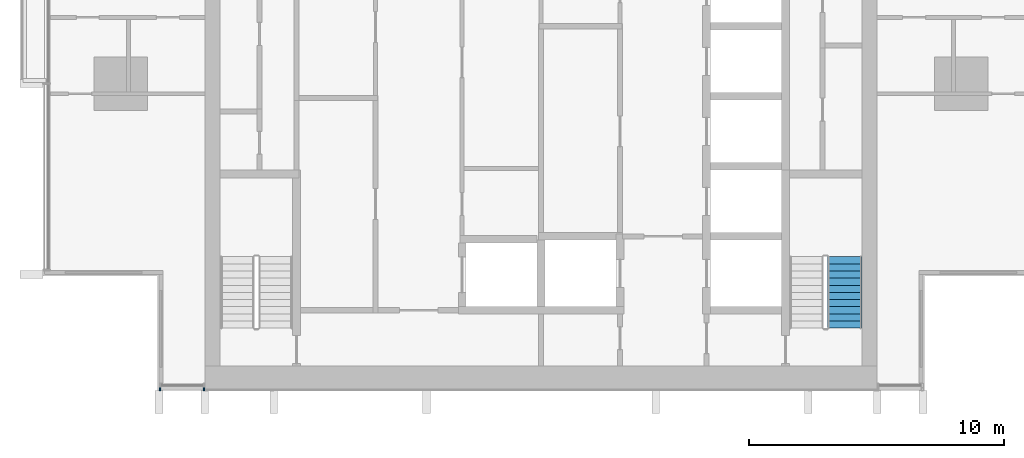
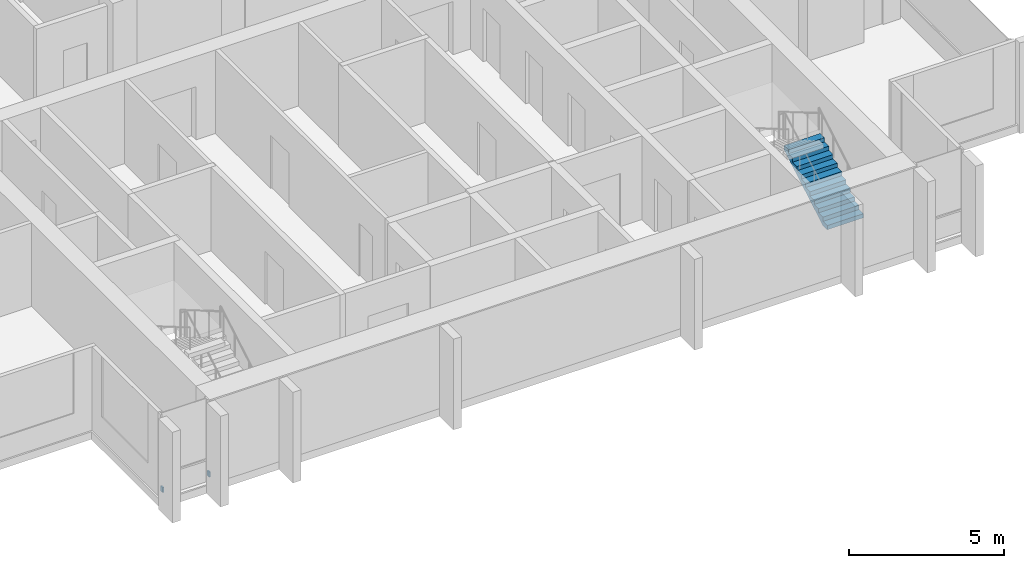
# One storey, part 11 of 16: 2 discrete accessories, 1 stair flight, 1 element without a shape of its own.
"""IFC4 building model written with IfcOpenShell, lengths in metres."""

from ifc_helpers import new_model, si_unit, direction, frame, origin, origin_2d, place, context, subcontext, project, spatial, polyline, rectangle, outline, extrude, material, type_object, element, aggregate, save


model = new_model("IFC4")

# Units and contexts
model_context = context("Model", 3, precision=1e-05, world=origin(), true_north=direction((0.0, 1.0)))
body_context = subcontext(model_context, "Body", "Model", "MODEL_VIEW")
ifc_project = project(units=[si_unit("LENGTHUNIT", "METRE"), si_unit("AREAUNIT", "SQUARE_METRE"), si_unit("VOLUMEUNIT", "CUBIC_METRE"), si_unit("PLANEANGLEUNIT", "RADIAN"), si_unit("MASSUNIT", "GRAM", prefix="KILO")], contexts=[model_context])

# Site, building, storey
site_placement = place(None, origin())
site = spatial("IfcSite", under=ifc_project, at=site_placement, CompositionType="ELEMENT")
building_placement = place(site_placement, origin())
building = spatial("IfcBuilding", under=site, at=building_placement, Name="Finial Court Residences", CompositionType="ELEMENT")
storey_placement = place(building_placement, frame((0.0, 0.0, 212.300048828125)))
storey = spatial("IfcBuildingStorey", under=building, at=storey_placement, Name="L53", CompositionType="ELEMENT", Elevation=212.300048828125)

# Stair, stair flight
ifc_material_1 = material(Name="Concrete C50/60", Category="concrete")
stair_type = type_object("IfcStairType", Name="Exit stair 22 risers of 163.6 mm", PredefinedType="HALF_TURN_STAIR", material=ifc_material_1)
stair_placement = place(storey_placement, origin())
stair = element("IfcStair", 1, at=stair_placement, inside=storey, type_object=stair_type, Name="L53 Exit stair ST-2", PredefinedType="HALF_TURN_STAIR")
stair_flight_type = type_object("IfcStairFlightType", Name="Exit stair flight", PredefinedType="STRAIGHT", material=ifc_material_1)
stair_flight_placement = place(storey_placement, frame((11.925048828125, -23.10009765625, 0.0), z_axis=(0.0, 0.0, 1.0), x_axis=(0.0, 1.0, 0.0)))
stair_flight = element("IfcStairFlight", 2, at=stair_flight_placement, type_object=stair_flight_type, Name="ST-2 flight 1", NumberOfRisers=11, NumberOfTreads=10, PredefinedType="STRAIGHT", RiserHeight=0.163636364, TreadLength=0.28, context=body_context, shape_type="SweptSolid", body=[
    extrude(outline(polyline([(0.0, 0.0), (0.0, 0.16357421875), (0.280029296875, 0.16357421875), (0.280029296875, 0.327392578125), (0.56005859375, 0.327392578125), (0.56005859375, 0.490966796875), (0.840087890625, 0.490966796875), (0.840087890625, 0.654541015625), (1.1201171875, 0.654541015625), (1.1201171875, 0.818115234375), (1.39990234375, 0.818115234375), (1.39990234375, 0.98193359375), (1.679931640625, 0.98193359375), (1.679931640625, 1.1455078125), (1.9599609375, 1.1455078125), (1.9599609375, 1.30908203125), (2.239990234375, 1.30908203125), (2.239990234375, 1.47265625), (2.52001953125, 1.47265625), (2.52001953125, 1.636474609375), (2.800048828125, 1.636474609375), (2.800048828125, 1.800048828125), (2.800048828125, 1.462646484375), (0.297119140625, 0.0), (0.0, 0.0)])), frame((0.0, 0.675048828125, 0.0), z_axis=(0.0, -1.0, 0.0), x_axis=(1.0, 0.0, 0.0)), (0.0, 0.0, 1.0), 1.35009765625),
])
aggregate(stair, [stair_flight])

# Discrete accessories
ifc_material_2 = material(Name="Stainless steel 316", Category="steel")
discrete_accessory_type = type_object("IfcDiscreteAccessoryType", Name="Fin bracket, stainless steel 60 x 122 x 200", PredefinedType="BRACKET", material=ifc_material_2)
for number, where, z_axis, x_axis, name in (
    (3, (-14.969970703125, -25.498779296875, 0.2998046875), (0.0, 0.0, 1.0), (1.0, 0.0, 0.0), "E-L53-FIN-S13-BRK"),
    (4, (-13.22998046875, -25.498779296875, 0.2998046875), (0.0, 0.0, 1.0), (1.0, 0.0, 0.0), "E-L53-FIN-S14-BRK"),
):
    element("IfcDiscreteAccessory", number, at=place(storey_placement, frame(where, z_axis=z_axis, x_axis=x_axis)), inside=storey, type_object=discrete_accessory_type, Name=name, PredefinedType="BRACKET", context=body_context, shape_type="SweptSolid", body=[
        extrude(rectangle(XDim=0.06005859375, YDim=0.12255859375, at=origin_2d()), origin(), (0.0, 0.0, 1.0), 0.199951171875),
    ])

save(model, "model.ifc")
